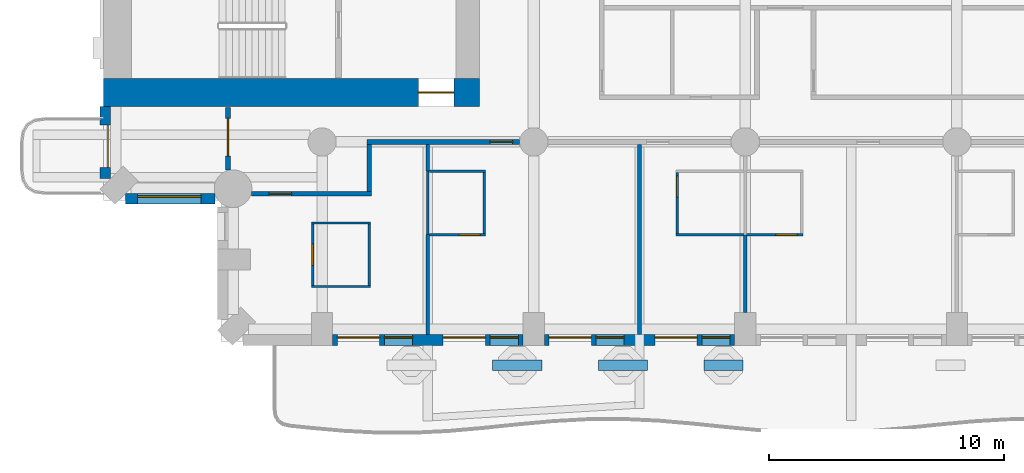
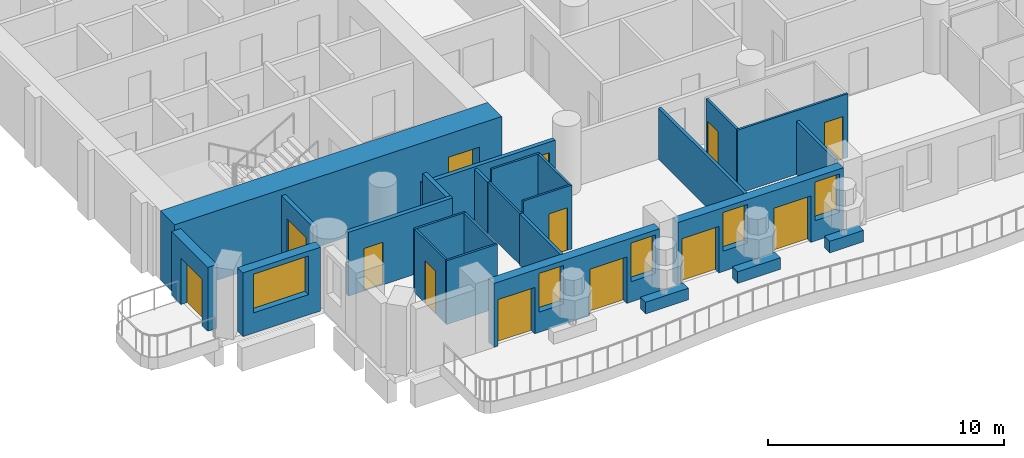
# One storey, part 3 of 20: 26 walls, 13 doors, 5 windows, 18 openings.
"""IFC4 building model written with IfcOpenShell, lengths in metres."""

from ifc_helpers import new_model, si_unit, direction, frame, frame_2d, origin, place, context, subcontext, project, spatial, rectangle, extrude, material, layer, layer_set, type_object, element, fill, save


model = new_model("IFC4")

# Units and contexts
model_context = context("Model", 3, precision=1e-05, world=origin(), true_north=direction((0.0, 1.0)))
body_context = subcontext(model_context, "Body", "Model", "MODEL_VIEW")
ifc_project = project(units=[si_unit("LENGTHUNIT", "METRE"), si_unit("AREAUNIT", "SQUARE_METRE"), si_unit("VOLUMEUNIT", "CUBIC_METRE"), si_unit("PLANEANGLEUNIT", "RADIAN"), si_unit("MASSUNIT", "GRAM", prefix="KILO")], contexts=[model_context])

# Site, building, storey
site_placement = place(None, origin())
site = spatial("IfcSite", under=ifc_project, at=site_placement, CompositionType="ELEMENT")
building_placement = place(site_placement, origin())
building = spatial("IfcBuilding", under=site, at=building_placement, Name="Cypress Arch Tower", CompositionType="ELEMENT")
storey_placement = place(building_placement, frame((0.0, 0.0, 91.5)))
storey = spatial("IfcBuildingStorey", under=building, at=storey_placement, Name="L17", CompositionType="ELEMENT", Elevation=91.5)

# Walls
ifc_material_1 = material(Name="Concrete C40/50, waterproofed", Category="concrete")
ifc_layer_1 = layer(ifc_material_1, 0.449951171875)
ifc_layer_set_1 = layer_set([ifc_layer_1], Name="Balcony planter wall PW450")
wall_type_1 = type_object("IfcWallType", Name="Balcony planter wall PW450", PredefinedType="SOLIDWALL", material=ifc_layer_set_1)
for number, where, z_axis, x_axis, name in (
    (1, (-13.449951171875, -27.0, 0.0), (0.0, 0.0, 1.0), (1.0, 0.0, 0.0), "Balcony planter wall L17-A03.2"),
    (2, (-8.949951171875, -27.0, 0.0), (0.0, 0.0, 1.0), (1.0, 0.0, 0.0), "Balcony planter wall L17-A03.3"),
):
    element("IfcWall", number, at=place(storey_placement, frame(where, z_axis=z_axis, x_axis=x_axis)), inside=storey, type_object=wall_type_1, Name=name, PredefinedType="SOLIDWALL", context=body_context, shape_type="SweptSolid", body=[
        extrude(rectangle(XDim=2.099853515625, YDim=0.449951171875, at=frame_2d((1.0498046875, 0.0))), origin(), (0.0, 0.0, 1.0), 0.60009765625),
    ])
wall_1_placement = place(storey_placement, frame((-4.449951171875, -27.0, 0.0), z_axis=(0.0, 0.0, 1.0), x_axis=(1.0, 0.0, 0.0)))
element("IfcWall", 3, at=wall_1_placement, inside=storey, type_object=wall_type_1, Name="Balcony planter wall L17-A03.4", PredefinedType="SOLIDWALL", context=body_context, shape_type="SweptSolid", body=[
    extrude(rectangle(XDim=1.64990234375, YDim=0.449951171875, at=frame_2d((0.824951171875, 0.0))), origin(), (0.0, 0.0, 1.0), 0.60009765625),
])

# Wall, opening, door
ifc_material_2 = material(Name="Brick (red buff blend)", Category="masonry")
ifc_layer_2 = layer(ifc_material_2, 0.449951171875)
ifc_layer_set_2 = layer_set([ifc_layer_2], Name="Brick pier and spandrel wall BW450")
wall_type_2 = type_object("IfcWallType", Name="Brick pier and spandrel wall BW450", PredefinedType="SOLIDWALL", material=ifc_layer_set_2)
wall_2_placement = place(storey_placement, frame((-29.925048828125, -16.0, 0.0), z_axis=(0.0, 0.0, 1.0), x_axis=(0.0, -1.0, 0.0)))
wall_2 = element("IfcWall", 4, at=wall_2_placement, inside=storey, type_object=wall_type_2, Name="Brick wall L17 A00.0.1", PredefinedType="SOLIDWALL", context=body_context, shape_type="SweptSolid", body=[
    extrude(rectangle(XDim=3.063720703125, YDim=0.449951171875, at=frame_2d((1.53173828125, 0.0))), origin(), (0.0, 0.0, 1.0), 3.300048828125),
])
opening_1_placement = place(wall_2_placement, frame((0.78173828125, 0.0, 0.0)))
opening_1 = element("IfcOpeningElement", 5, at=opening_1_placement, cuts=wall_2, Name="Opening D-L17-A00.0.1.9", PredefinedType="OPENING", context=body_context, shape_type="SweptSolid", body=[
    extrude(rectangle(XDim=1.800048828125, YDim=2.39990234375, at=frame_2d((0.89990234375, 1.199951171875))), frame((0.0, 0.23486328125, 0.0), z_axis=(0.0, -1.0, 0.0), x_axis=(1.0, 0.0, 0.0)), (0.0, 0.0, 1.0), 0.469970703125),
])
ifc_material_3 = material(Name="Anodised aluminium, bronze finish, laminated low-emissivity double glazing, large-missile impact rated", Category="aluminium")
door_type_1 = type_object("IfcDoorType", Name="Balcony sliding door 1800x2400", OperationType="SLIDING_TO_LEFT", PredefinedType="DOOR", material=ifc_material_3)
door_1_placement = place(opening_1_placement, origin())
door_1 = element("IfcDoor", 6, at=door_1_placement, inside=storey, type_object=door_type_1, Name="Balcony door L17 A00.0.1.9", OperationType="SLIDING_TO_LEFT", OverallHeight=2.39990234375, OverallWidth=1.800048828125, PredefinedType="DOOR", context=body_context, shape_type="SweptSolid", body=[
    extrude(rectangle(XDim=1.800048828125, YDim=2.39990234375, at=frame_2d((0.89990234375, 1.199951171875))), frame((0.0, 0.1298828125, 0.0), z_axis=(0.0, -1.0, 0.0), x_axis=(1.0, 0.0, 0.0)), (0.0, 0.0, 1.0), 0.050048828125),
])
fill(opening_1, door_1)

# Wall, opening, window
wall_3_placement = place(storey_placement, frame((-29.063720703125, -19.925048828125, 0.0), z_axis=(0.0, 0.0, 1.0), x_axis=(1.0, 0.0, 0.0)))
wall_3 = element("IfcWall", 7, at=wall_3_placement, inside=storey, type_object=wall_type_2, Name="Brick wall L17 A01.0", PredefinedType="SOLIDWALL", context=body_context, shape_type="SweptSolid", body=[
    extrude(rectangle(XDim=3.80517578125, YDim=0.449951171875, at=frame_2d((1.902587890625, 0.0))), origin(), (0.0, 0.0, 1.0), 3.300048828125),
])
opening_2_placement = place(wall_3_placement, frame((0.513671875, 0.0, 1.050048828125)))
opening_2 = element("IfcOpeningElement", 8, at=opening_2_placement, cuts=wall_3, Name="Opening W270H", PredefinedType="OPENING", context=body_context, shape_type="SweptSolid", body=[
    extrude(rectangle(XDim=2.699951171875, YDim=2.0, at=frame_2d((1.35009765625, 1.0))), frame((0.0, 0.23486328125, 0.0), z_axis=(0.0, -1.0, 0.0), x_axis=(1.0, 0.0, 0.0)), (0.0, 0.0, 1.0), 0.469970703125),
])
ifc_material_4 = material(Name="Anodised aluminium, bronze finish, clear low-emissivity double glazing", Category="aluminium")
window_type_1 = type_object("IfcWindowType", Name="Window Hotel 2700x2000", PartitioningType="SINGLE_PANEL", PredefinedType="WINDOW", material=ifc_material_4)
window_1_placement = place(opening_2_placement, origin())
window_1 = element("IfcWindow", 9, at=window_1_placement, inside=storey, type_object=window_type_1, Name="Window L17 A01.0.1", OverallHeight=2.0, OverallWidth=2.699951171875, PartitioningType="SINGLE_PANEL", PredefinedType="WINDOW", context=body_context, shape_type="SweptSolid", body=[
    extrude(rectangle(XDim=2.699951171875, YDim=2.0, at=frame_2d((1.35009765625, 1.0))), frame((0.0, 0.135009765625, 0.0), z_axis=(0.0, -1.0, 0.0), x_axis=(1.0, 0.0, 0.0)), (0.0, 0.0, 1.0), 0.06005859375),
])
fill(opening_2, window_1)

# Wall, openings, doors, windows
wall_4_placement = place(storey_placement, frame((-20.25, -25.925048828125, 0.0), z_axis=(0.0, 0.0, 1.0), x_axis=(1.0, 0.0, 0.0)))
wall_4 = element("IfcWall", 10, at=wall_4_placement, inside=storey, type_object=wall_type_2, Name="Brick wall L17 A03.1", PredefinedType="SOLIDWALL", context=body_context, shape_type="SweptSolid", body=[
    extrude(rectangle(XDim=8.10009765625, YDim=0.449951171875, at=frame_2d((4.050048828125, 0.0))), origin(), (0.0, 0.0, 1.0), 3.300048828125),
])
opening_3_placement = place(wall_4_placement, frame((0.199951171875, 0.0, 0.0)))
opening_3 = element("IfcOpeningElement", 11, at=opening_3_placement, cuts=wall_4, Name="Opening D-L17-A03.1.1", PredefinedType="OPENING", context=body_context, shape_type="SweptSolid", body=[
    extrude(rectangle(XDim=1.800048828125, YDim=2.39990234375, at=frame_2d((0.89990234375, 1.199951171875))), frame((0.0, 0.23486328125, 0.0), z_axis=(0.0, -1.0, 0.0), x_axis=(1.0, 0.0, 0.0)), (0.0, 0.0, 1.0), 0.469970703125),
])
opening_4_placement = place(wall_4_placement, frame((2.199951171875, 0.0, 1.050048828125)))
opening_4 = element("IfcOpeningElement", 12, at=opening_4_placement, cuts=wall_4, Name="Opening W120HD", PredefinedType="OPENING", context=body_context, shape_type="SweptSolid", body=[
    extrude(rectangle(XDim=1.199951171875, YDim=2.0, at=frame_2d((0.60009765625, 1.0))), frame((0.0, 0.23486328125, 0.0), z_axis=(0.0, -1.0, 0.0), x_axis=(1.0, 0.0, 0.0)), (0.0, 0.0, 1.0), 0.469970703125),
])
opening_5_placement = place(wall_4_placement, frame((4.699951171875, 0.0, 0.0)))
opening_5 = element("IfcOpeningElement", 13, at=opening_5_placement, cuts=wall_4, Name="Opening D-L17-A03.1.2", PredefinedType="OPENING", context=body_context, shape_type="SweptSolid", body=[
    extrude(rectangle(XDim=1.800048828125, YDim=2.39990234375, at=frame_2d((0.89990234375, 1.199951171875))), frame((0.0, 0.23486328125, 0.0), z_axis=(0.0, -1.0, 0.0), x_axis=(1.0, 0.0, 0.0)), (0.0, 0.0, 1.0), 0.469970703125),
])
opening_6_placement = place(wall_4_placement, frame((6.699951171875, 0.0, 1.050048828125)))
opening_6 = element("IfcOpeningElement", 14, at=opening_6_placement, cuts=wall_4, Name="Opening W120HD", PredefinedType="OPENING", context=body_context, shape_type="SweptSolid", body=[
    extrude(rectangle(XDim=1.199951171875, YDim=2.0, at=frame_2d((0.60009765625, 1.0))), frame((0.0, 0.23486328125, 0.0), z_axis=(0.0, -1.0, 0.0), x_axis=(1.0, 0.0, 0.0)), (0.0, 0.0, 1.0), 0.469970703125),
])
door_2_placement = place(opening_3_placement, origin())
door_2 = element("IfcDoor", 15, at=door_2_placement, inside=storey, type_object=door_type_1, Name="Balcony door L17 A03.1.1", OperationType="SLIDING_TO_LEFT", OverallHeight=2.39990234375, OverallWidth=1.800048828125, PredefinedType="DOOR", context=body_context, shape_type="SweptSolid", body=[
    extrude(rectangle(XDim=1.800048828125, YDim=2.39990234375, at=frame_2d((0.89990234375, 1.199951171875))), frame((0.0, 0.1298828125, 0.0), z_axis=(0.0, -1.0, 0.0), x_axis=(1.0, 0.0, 0.0)), (0.0, 0.0, 1.0), 0.050048828125),
])
fill(opening_3, door_2)
door_3_placement = place(opening_5_placement, origin())
door_3 = element("IfcDoor", 16, at=door_3_placement, inside=storey, type_object=door_type_1, Name="Balcony door L17 A03.1.2", OperationType="SLIDING_TO_LEFT", OverallHeight=2.39990234375, OverallWidth=1.800048828125, PredefinedType="DOOR", context=body_context, shape_type="SweptSolid", body=[
    extrude(rectangle(XDim=1.800048828125, YDim=2.39990234375, at=frame_2d((0.89990234375, 1.199951171875))), frame((0.0, 0.1298828125, 0.0), z_axis=(0.0, -1.0, 0.0), x_axis=(1.0, 0.0, 0.0)), (0.0, 0.0, 1.0), 0.050048828125),
])
fill(opening_5, door_3)
ifc_material_5 = material(Name="Anodised aluminium, bronze finish, laminated low-emissivity double glazing, large-missile impact rated", Category="aluminium")
window_type_2 = type_object("IfcWindowType", Name="Window Hotel 1200x2000 debris-rated", PartitioningType="SINGLE_PANEL", PredefinedType="WINDOW", material=ifc_material_5)
window_2_placement = place(opening_4_placement, origin())
window_2 = element("IfcWindow", 17, at=window_2_placement, inside=storey, type_object=window_type_2, Name="Window L17 A03.1.1", OverallHeight=2.0, OverallWidth=1.199951171875, PartitioningType="SINGLE_PANEL", PredefinedType="WINDOW", context=body_context, shape_type="SweptSolid", body=[
    extrude(rectangle(XDim=1.199951171875, YDim=2.0, at=frame_2d((0.60009765625, 1.0))), frame((0.0, 0.135009765625, 0.0), z_axis=(0.0, -1.0, 0.0), x_axis=(1.0, 0.0, 0.0)), (0.0, 0.0, 1.0), 0.06005859375),
])
fill(opening_4, window_2)
window_3_placement = place(opening_6_placement, origin())
window_3 = element("IfcWindow", 18, at=window_3_placement, inside=storey, type_object=window_type_2, Name="Window L17 A03.1.2", OverallHeight=2.0, OverallWidth=1.199951171875, PartitioningType="SINGLE_PANEL", PredefinedType="WINDOW", context=body_context, shape_type="SweptSolid", body=[
    extrude(rectangle(XDim=1.199951171875, YDim=2.0, at=frame_2d((0.60009765625, 1.0))), frame((0.0, 0.135009765625, 0.0), z_axis=(0.0, -1.0, 0.0), x_axis=(1.0, 0.0, 0.0)), (0.0, 0.0, 1.0), 0.06005859375),
])
fill(opening_6, window_3)

wall_5_placement = place(storey_placement, frame((-11.25, -25.925048828125, 0.0), z_axis=(0.0, 0.0, 1.0), x_axis=(1.0, 0.0, 0.0)))
wall_5 = element("IfcWall", 19, at=wall_5_placement, inside=storey, type_object=wall_type_2, Name="Brick wall L17 A03.2", PredefinedType="SOLIDWALL", context=body_context, shape_type="SweptSolid", body=[
    extrude(rectangle(XDim=8.10009765625, YDim=0.449951171875, at=frame_2d((4.050048828125, 0.0))), origin(), (0.0, 0.0, 1.0), 3.300048828125),
])
opening_7_placement = place(wall_5_placement, frame((0.199951171875, 0.0, 0.0)))
opening_7 = element("IfcOpeningElement", 20, at=opening_7_placement, cuts=wall_5, Name="Opening D-L17-A03.2.1", PredefinedType="OPENING", context=body_context, shape_type="SweptSolid", body=[
    extrude(rectangle(XDim=1.800048828125, YDim=2.39990234375, at=frame_2d((0.89990234375, 1.199951171875))), frame((0.0, 0.23486328125, 0.0), z_axis=(0.0, -1.0, 0.0), x_axis=(1.0, 0.0, 0.0)), (0.0, 0.0, 1.0), 0.469970703125),
])
opening_8_placement = place(wall_5_placement, frame((2.199951171875, 0.0, 1.050048828125)))
opening_8 = element("IfcOpeningElement", 21, at=opening_8_placement, cuts=wall_5, Name="Opening W120HD", PredefinedType="OPENING", context=body_context, shape_type="SweptSolid", body=[
    extrude(rectangle(XDim=1.199951171875, YDim=2.0, at=frame_2d((0.60009765625, 1.0))), frame((0.0, 0.23486328125, 0.0), z_axis=(0.0, -1.0, 0.0), x_axis=(1.0, 0.0, 0.0)), (0.0, 0.0, 1.0), 0.469970703125),
])
opening_9_placement = place(wall_5_placement, frame((4.699951171875, 0.0, 0.0)))
opening_9 = element("IfcOpeningElement", 22, at=opening_9_placement, cuts=wall_5, Name="Opening D-L17-A03.2.2", PredefinedType="OPENING", context=body_context, shape_type="SweptSolid", body=[
    extrude(rectangle(XDim=1.800048828125, YDim=2.39990234375, at=frame_2d((0.89990234375, 1.199951171875))), frame((0.0, 0.23486328125, 0.0), z_axis=(0.0, -1.0, 0.0), x_axis=(1.0, 0.0, 0.0)), (0.0, 0.0, 1.0), 0.469970703125),
])
opening_10_placement = place(wall_5_placement, frame((6.699951171875, 0.0, 1.050048828125)))
opening_10 = element("IfcOpeningElement", 23, at=opening_10_placement, cuts=wall_5, Name="Opening W120HD", PredefinedType="OPENING", context=body_context, shape_type="SweptSolid", body=[
    extrude(rectangle(XDim=1.199951171875, YDim=2.0, at=frame_2d((0.60009765625, 1.0))), frame((0.0, 0.23486328125, 0.0), z_axis=(0.0, -1.0, 0.0), x_axis=(1.0, 0.0, 0.0)), (0.0, 0.0, 1.0), 0.469970703125),
])
door_4_placement = place(opening_7_placement, origin())
door_4 = element("IfcDoor", 24, at=door_4_placement, inside=storey, type_object=door_type_1, Name="Balcony door L17 A03.2.1", OperationType="SLIDING_TO_LEFT", OverallHeight=2.39990234375, OverallWidth=1.800048828125, PredefinedType="DOOR", context=body_context, shape_type="SweptSolid", body=[
    extrude(rectangle(XDim=1.800048828125, YDim=2.39990234375, at=frame_2d((0.89990234375, 1.199951171875))), frame((0.0, 0.1298828125, 0.0), z_axis=(0.0, -1.0, 0.0), x_axis=(1.0, 0.0, 0.0)), (0.0, 0.0, 1.0), 0.050048828125),
])
fill(opening_7, door_4)
door_5_placement = place(opening_9_placement, origin())
door_5 = element("IfcDoor", 25, at=door_5_placement, inside=storey, type_object=door_type_1, Name="Balcony door L17 A03.2.2", OperationType="SLIDING_TO_LEFT", OverallHeight=2.39990234375, OverallWidth=1.800048828125, PredefinedType="DOOR", context=body_context, shape_type="SweptSolid", body=[
    extrude(rectangle(XDim=1.800048828125, YDim=2.39990234375, at=frame_2d((0.89990234375, 1.199951171875))), frame((0.0, 0.1298828125, 0.0), z_axis=(0.0, -1.0, 0.0), x_axis=(1.0, 0.0, 0.0)), (0.0, 0.0, 1.0), 0.050048828125),
])
fill(opening_9, door_5)
window_4_placement = place(opening_8_placement, origin())
window_4 = element("IfcWindow", 26, at=window_4_placement, inside=storey, type_object=window_type_2, Name="Window L17 A03.2.1", OverallHeight=2.0, OverallWidth=1.199951171875, PartitioningType="SINGLE_PANEL", PredefinedType="WINDOW", context=body_context, shape_type="SweptSolid", body=[
    extrude(rectangle(XDim=1.199951171875, YDim=2.0, at=frame_2d((0.60009765625, 1.0))), frame((0.0, 0.135009765625, 0.0), z_axis=(0.0, -1.0, 0.0), x_axis=(1.0, 0.0, 0.0)), (0.0, 0.0, 1.0), 0.06005859375),
])
fill(opening_8, window_4)
window_5_placement = place(opening_10_placement, origin())
window_5 = element("IfcWindow", 27, at=window_5_placement, inside=storey, type_object=window_type_2, Name="Window L17 A03.2.2", OverallHeight=2.0, OverallWidth=1.199951171875, PartitioningType="SINGLE_PANEL", PredefinedType="WINDOW", context=body_context, shape_type="SweptSolid", body=[
    extrude(rectangle(XDim=1.199951171875, YDim=2.0, at=frame_2d((0.60009765625, 1.0))), frame((0.0, 0.135009765625, 0.0), z_axis=(0.0, -1.0, 0.0), x_axis=(1.0, 0.0, 0.0)), (0.0, 0.0, 1.0), 0.06005859375),
])
fill(opening_10, window_5)

# Wall, opening, door
ifc_material_6 = material(Name="Concrete C80/95", Category="concrete")
ifc_layer_3 = layer(ifc_material_6, 1.199951171875)
ifc_layer_set_3 = layer_set([ifc_layer_3], Name="Core wall CW1200 C80/95")
wall_type_3 = type_object("IfcWallType", Name="Core wall CW1200 C80/95", PredefinedType="SHEAR", material=ifc_layer_set_3)
wall_6_placement = place(storey_placement, frame((-30.0, -15.39990234375, 0.0), z_axis=(0.0, 0.0, 1.0), x_axis=(1.0, 0.0, 0.0)))
wall_6 = element("IfcWall", 28, at=wall_6_placement, inside=storey, type_object=wall_type_3, Name="Core wall", PredefinedType="SHEAR", context=body_context, shape_type="SweptSolid", body=[
    extrude(rectangle(XDim=16.0, YDim=1.199951171875, at=frame_2d((8.0, 0.0))), origin(), (0.0, 0.0, 1.0), 3.60009765625),
])
opening_11_placement = place(wall_6_placement, frame((13.39990234375, 0.0, 0.0)))
opening_11 = element("IfcOpeningElement", 29, at=opening_11_placement, cuts=wall_6, Name="Opening D07", PredefinedType="OPENING", context=body_context, shape_type="SweptSolid", body=[
    extrude(rectangle(XDim=1.5, YDim=2.39990234375, at=frame_2d((0.75, 1.199951171875))), frame((0.0, 0.60986328125, 0.0), z_axis=(0.0, -1.0, 0.0), x_axis=(1.0, 0.0, 0.0)), (0.0, 0.0, 1.0), 1.219970703125),
])
ifc_material_7 = material(Name="Steel framed glazed door, fire resisting", Category="steel")
door_type_2 = type_object("IfcDoorType", Name="Lobby door D07 1500x2400", OperationType="DOUBLE_DOOR_SINGLE_SWING", PredefinedType="DOOR", material=ifc_material_7)
door_6_placement = place(opening_11_placement, origin())
door_6 = element("IfcDoor", 30, at=door_6_placement, inside=storey, type_object=door_type_2, Name="Lobby door", OperationType="DOUBLE_DOOR_SINGLE_SWING", OverallHeight=2.39990234375, OverallWidth=1.5, PredefinedType="DOOR", context=body_context, shape_type="SweptSolid", body=[
    extrude(rectangle(XDim=1.5, YDim=2.39990234375, at=frame_2d((0.75, 1.199951171875))), frame((0.0, 0.02490234375, 0.0), z_axis=(0.0, -1.0, 0.0), x_axis=(1.0, 0.0, 0.0)), (0.0, 0.0, 1.0), 0.050048828125),
])
fill(opening_11, door_6)

ifc_material_8 = material(Name="Concrete blockwork, plastered, rated", Category="masonry")
ifc_layer_4 = layer(ifc_material_8, 0.199951171875)
ifc_layer_set_4 = layer_set([ifc_layer_4], Name="Corridor wall FW200")
wall_type_4 = type_object("IfcWallType", Name="Corridor wall FW200", PredefinedType="PARTITIONING", material=ifc_layer_set_4)
wall_7_placement = place(storey_placement, frame((-24.699951171875, -18.7001953125, 0.0), z_axis=(0.0, 0.0, 1.0), x_axis=(0.0, 1.0, 0.0)))
wall_7 = element("IfcWall", 31, at=wall_7_placement, inside=storey, type_object=wall_type_4, Name="Corridor wall", PredefinedType="PARTITIONING", context=body_context, shape_type="SweptSolid", body=[
    extrude(rectangle(XDim=2.670166015625, YDim=0.199951171875, at=frame_2d((1.3349609375, 0.0))), origin(), (0.0, 0.0, 1.0), 3.300048828125),
])
opening_12_placement = place(wall_7_placement, frame((0.60009765625, 0.0, 0.0)))
opening_12 = element("IfcOpeningElement", 32, at=opening_12_placement, cuts=wall_7, Name="Opening D10", PredefinedType="OPENING", context=body_context, shape_type="SweptSolid", body=[
    extrude(rectangle(XDim=1.60009765625, YDim=2.39990234375, at=frame_2d((0.800048828125, 1.199951171875))), frame((0.0, 0.10986328125, 0.0), z_axis=(0.0, -1.0, 0.0), x_axis=(1.0, 0.0, 0.0)), (0.0, 0.0, 1.0), 0.219970703125),
])
ifc_material_9 = material(Name="Black aluminium glazed door", Category="aluminium")
door_type_3 = type_object("IfcDoorType", Name="Amenity door D10 1600x2400", OperationType="DOUBLE_DOOR_SINGLE_SWING", PredefinedType="DOOR", material=ifc_material_9)
door_7_placement = place(opening_12_placement, origin())
door_7 = element("IfcDoor", 33, at=door_7_placement, inside=storey, type_object=door_type_3, Name="Amenity door", OperationType="DOUBLE_DOOR_SINGLE_SWING", OverallHeight=2.39990234375, OverallWidth=1.60009765625, PredefinedType="DOOR", context=body_context, shape_type="SweptSolid", body=[
    extrude(rectangle(XDim=1.60009765625, YDim=2.39990234375, at=frame_2d((0.800048828125, 1.199951171875))), frame((0.0, 0.02490234375, 0.0), z_axis=(0.0, -1.0, 0.0), x_axis=(1.0, 0.0, 0.0)), (0.0, 0.0, 1.0), 0.050048828125),
])
fill(opening_12, door_7)

wall_8_placement = place(storey_placement, frame((-23.7001953125, -19.699951171875, 0.0), z_axis=(0.0, 0.0, 1.0), x_axis=(1.0, 0.0, 0.0)))
wall_8 = element("IfcWall", 34, at=wall_8_placement, inside=storey, type_object=wall_type_4, Name="Corridor wall", PredefinedType="PARTITIONING", context=body_context, shape_type="SweptSolid", body=[
    extrude(rectangle(XDim=5.10009765625, YDim=0.199951171875, at=frame_2d((2.550048828125, 0.0))), origin(), (0.0, 0.0, 1.0), 3.300048828125),
])
opening_13_placement = place(wall_8_placement, frame((0.75, 0.0, 0.0)))
opening_13 = element("IfcOpeningElement", 35, at=opening_13_placement, cuts=wall_8, Name="Opening D02", PredefinedType="OPENING", context=body_context, shape_type="SweptSolid", body=[
    extrude(rectangle(XDim=0.949951171875, YDim=2.199951171875, at=frame_2d((0.47509765625, 1.10009765625))), frame((0.0, 0.10986328125, 0.0), z_axis=(0.0, -1.0, 0.0), x_axis=(1.0, 0.0, 0.0)), (0.0, 0.0, 1.0), 0.219970703125),
])
ifc_material_10 = material(Name="Timber flush door, fire resisting", Category="wood")
door_type_4 = type_object("IfcDoorType", Name="Room door D02 950x2200", OperationType="SINGLE_SWING_LEFT", PredefinedType="DOOR", material=ifc_material_10)
door_8_placement = place(opening_13_placement, origin())
door_8 = element("IfcDoor", 36, at=door_8_placement, inside=storey, type_object=door_type_4, Name="Room door", OperationType="SINGLE_SWING_RIGHT", OverallHeight=2.199951171875, OverallWidth=0.949951171875, PredefinedType="DOOR", context=body_context, shape_type="SweptSolid", body=[
    extrude(rectangle(XDim=0.949951171875, YDim=2.199951171875, at=frame_2d((0.47509765625, 1.10009765625))), frame((0.0, 0.02490234375, 0.0), z_axis=(0.0, -1.0, 0.0), x_axis=(1.0, 0.0, 0.0)), (0.0, 0.0, 1.0), 0.050048828125),
])
fill(opening_13, door_8)

# Wall
wall_9_placement = place(storey_placement, frame((-18.699951171875, -19.60009765625, 0.0), z_axis=(0.0, 0.0, 1.0), x_axis=(0.0, 1.0, 0.0)))
element("IfcWall", 37, at=wall_9_placement, inside=storey, type_object=wall_type_4, Name="Corridor wall", PredefinedType="PARTITIONING", context=body_context, shape_type="SweptSolid", body=[
    extrude(rectangle(XDim=2.0, YDim=0.199951171875, at=frame_2d((1.0, 0.0))), origin(), (0.0, 0.0, 1.0), 3.300048828125),
])

# Wall, opening, door
wall_10_placement = place(storey_placement, frame((-18.800048828125, -17.5, 0.0), z_axis=(0.0, 0.0, 1.0), x_axis=(1.0, 0.0, 0.0)))
wall_10 = element("IfcWall", 38, at=wall_10_placement, inside=storey, type_object=wall_type_4, Name="Corridor wall", PredefinedType="PARTITIONING", context=body_context, shape_type="SweptSolid", body=[
    extrude(rectangle(XDim=6.5, YDim=0.199951171875, at=frame_2d((3.25, 0.0))), origin(), (0.0, 0.0, 1.0), 2.75),
])
opening_14_placement = place(wall_10_placement, frame((5.25, 0.0, 0.0)))
opening_14 = element("IfcOpeningElement", 39, at=opening_14_placement, cuts=wall_10, Name="Opening D02", PredefinedType="OPENING", context=body_context, shape_type="SweptSolid", body=[
    extrude(rectangle(XDim=0.949951171875, YDim=2.199951171875, at=frame_2d((0.47509765625, 1.10009765625))), frame((0.0, 0.10986328125, 0.0), z_axis=(0.0, -1.0, 0.0), x_axis=(1.0, 0.0, 0.0)), (0.0, 0.0, 1.0), 0.219970703125),
])
door_9_placement = place(opening_14_placement, origin())
door_9 = element("IfcDoor", 40, at=door_9_placement, inside=storey, type_object=door_type_4, Name="Room door", OperationType="SINGLE_SWING_LEFT", OverallHeight=2.199951171875, OverallWidth=0.949951171875, PredefinedType="DOOR", context=body_context, shape_type="SweptSolid", body=[
    extrude(rectangle(XDim=0.949951171875, YDim=2.199951171875, at=frame_2d((0.47509765625, 1.10009765625))), frame((0.0, 0.02490234375, 0.0), z_axis=(0.0, -1.0, 0.0), x_axis=(1.0, 0.0, 0.0)), (0.0, 0.0, 1.0), 0.050048828125),
])
fill(opening_14, door_9)

# Walls
ifc_material_11 = material(Name="Blockwork, plastered both sides", Category="masonry")
ifc_layer_5 = layer(ifc_material_11, 0.14990234375)
ifc_layer_set_5 = layer_set([ifc_layer_5], Name="Partition PW150")
wall_type_5 = type_object("IfcWallType", Name="Partition PW150", PredefinedType="PARTITIONING", material=ifc_layer_set_5)
wall_11_placement = place(storey_placement, frame((-16.199951171875, -25.699951171875, 0.0), z_axis=(0.0, 0.0, 1.0), x_axis=(0.0, 1.0, 0.0)))
element("IfcWall", 41, at=wall_11_placement, inside=storey, type_object=wall_type_5, Name="Partition", PredefinedType="PARTITIONING", context=body_context, shape_type="SweptSolid", body=[
    extrude(rectangle(XDim=4.27001953125, YDim=0.14990234375, at=frame_2d((2.135009765625, 0.0))), origin(), (0.0, 0.0, 1.0), 2.64990234375),
])
wall_12_placement = place(storey_placement, frame((-16.199951171875, -18.72998046875, 0.0), z_axis=(0.0, 0.0, 1.0), x_axis=(0.0, 1.0, 0.0)))
element("IfcWall", 42, at=wall_12_placement, inside=storey, type_object=wall_type_5, Name="Partition", PredefinedType="PARTITIONING", context=body_context, shape_type="SweptSolid", body=[
    extrude(rectangle(XDim=1.1298828125, YDim=0.14990234375, at=frame_2d((0.56494140625, 0.0))), origin(), (0.0, 0.0, 1.0), 2.64990234375),
])
wall_13_placement = place(storey_placement, frame((-7.199951171875, -25.699951171875, 0.0), z_axis=(0.0, 0.0, 1.0), x_axis=(0.0, 1.0, 0.0)))
element("IfcWall", 43, at=wall_13_placement, inside=storey, type_object=wall_type_5, Name="Partition", PredefinedType="PARTITIONING", context=body_context, shape_type="SweptSolid", body=[
    extrude(rectangle(XDim=8.099853515625, YDim=0.14990234375, at=frame_2d((4.0498046875, 0.0))), origin(), (0.0, 0.0, 1.0), 2.64990234375),
])
wall_14_placement = place(storey_placement, frame((-2.699951171875, -24.75, 0.0), z_axis=(0.0, 0.0, 1.0), x_axis=(0.0, 1.0, 0.0)))
element("IfcWall", 44, at=wall_14_placement, inside=storey, type_object=wall_type_5, Name="Partition", PredefinedType="PARTITIONING", context=body_context, shape_type="SweptSolid", body=[
    extrude(rectangle(XDim=3.300048828125, YDim=0.14990234375, at=frame_2d((1.64990234375, 0.0))), origin(), (0.0, 0.0, 1.0), 2.75),
])

# Wall, opening, door
ifc_material_12 = material(Name="Moisture resistant board on steel studs, tiled", Category="steel")
ifc_layer_6 = layer(ifc_material_12, 0.10009765625)
ifc_layer_set_6 = layer_set([ifc_layer_6], Name="Wet wall PW100")
wall_type_6 = type_object("IfcWallType", Name="Wet wall PW100", PredefinedType="PARTITIONING", material=ifc_layer_set_6)
wall_15_placement = place(storey_placement, frame((-21.10009765625, -23.60009765625, 0.0), z_axis=(0.0, 0.0, 1.0), x_axis=(0.0, 1.0, 0.0)))
wall_15 = element("IfcWall", 45, at=wall_15_placement, inside=storey, type_object=wall_type_6, Name="Wet wall", PredefinedType="PARTITIONING", context=body_context, shape_type="SweptSolid", body=[
    extrude(rectangle(XDim=2.60009765625, YDim=0.10009765625, at=frame_2d((1.300048828125, 0.0))), origin(), (0.0, 0.0, 1.0), 3.300048828125),
])
opening_15_placement = place(wall_15_placement, frame((0.85009765625, 0.0, 0.0)))
opening_15 = element("IfcOpeningElement", 46, at=opening_15_placement, cuts=wall_15, Name="Opening D03", PredefinedType="OPENING", context=body_context, shape_type="SweptSolid", body=[
    extrude(rectangle(XDim=0.89990234375, YDim=2.199951171875, at=frame_2d((0.449951171875, 1.10009765625))), frame((0.0, 0.06005859375, 0.0), z_axis=(0.0, -1.0, 0.0), x_axis=(1.0, 0.0, 0.0)), (0.0, 0.0, 1.0), 0.1201171875),
])
ifc_material_13 = material(Name="Timber flush door, moisture resistant", Category="wood")
door_type_5 = type_object("IfcDoorType", Name="Bathroom door D03 900x2200", OperationType="SINGLE_SWING_LEFT", PredefinedType="DOOR", material=ifc_material_13)
door_10_placement = place(opening_15_placement, origin())
door_10 = element("IfcDoor", 47, at=door_10_placement, inside=storey, type_object=door_type_5, Name="Bathroom door", OperationType="SINGLE_SWING_LEFT", OverallHeight=2.199951171875, OverallWidth=0.89990234375, PredefinedType="DOOR", context=body_context, shape_type="SweptSolid", body=[
    extrude(rectangle(XDim=0.89990234375, YDim=2.199951171875, at=frame_2d((0.449951171875, 1.10009765625))), frame((0.0, 0.02490234375, 0.0), z_axis=(0.0, -1.0, 0.0), x_axis=(1.0, 0.0, 0.0)), (0.0, 0.0, 1.0), 0.050048828125),
])
fill(opening_15, door_10)

# Walls
for number, where, z_axis, x_axis, name in (
    (48, (-21.14990234375, -23.64990234375, 0.0), (0.0, 0.0, 1.0), (1.0, 0.0, 0.0), "Wet wall"),
    (49, (-21.14990234375, -20.949951171875, 0.0), (0.0, 0.0, 1.0), (1.0, 0.0, 0.0), "Wet wall"),
):
    element("IfcWall", number, at=place(storey_placement, frame(where, z_axis=z_axis, x_axis=x_axis)), inside=storey, type_object=wall_type_6, Name=name, PredefinedType="PARTITIONING", context=body_context, shape_type="SweptSolid", body=[
        extrude(rectangle(XDim=2.5, YDim=0.10009765625, at=frame_2d((1.25, 0.0))), origin(), (0.0, 0.0, 1.0), 3.300048828125),
    ])
wall_16_placement = place(storey_placement, frame((-18.699951171875, -23.60009765625, 0.0), z_axis=(0.0, 0.0, 1.0), x_axis=(0.0, 1.0, 0.0)))
element("IfcWall", 50, at=wall_16_placement, inside=storey, type_object=wall_type_6, Name="Wet wall", PredefinedType="PARTITIONING", context=body_context, shape_type="SweptSolid", body=[
    extrude(rectangle(XDim=2.60009765625, YDim=0.10009765625, at=frame_2d((1.300048828125, 0.0))), origin(), (0.0, 0.0, 1.0), 3.300048828125),
])
wall_17_placement = place(storey_placement, frame((-16.199951171875, -21.429931640625, 0.0), z_axis=(0.0, 0.0, 1.0), x_axis=(0.0, 1.0, 0.0)))
element("IfcWall", 51, at=wall_17_placement, inside=storey, type_object=wall_type_6, Name="Wet wall", PredefinedType="PARTITIONING", context=body_context, shape_type="SweptSolid", body=[
    extrude(rectangle(XDim=2.699951171875, YDim=0.10009765625, at=frame_2d((1.35009765625, 0.0))), origin(), (0.0, 0.0, 1.0), 2.64990234375),
])

# Wall, opening, door
wall_18_placement = place(storey_placement, frame((-16.125, -21.449951171875, 0.0), z_axis=(0.0, 0.0, 1.0), x_axis=(1.0, 0.0, 0.0)))
wall_18 = element("IfcWall", 52, at=wall_18_placement, inside=storey, type_object=wall_type_6, Name="Wet wall", PredefinedType="PARTITIONING", context=body_context, shape_type="SweptSolid", body=[
    extrude(rectangle(XDim=2.37109375, YDim=0.10009765625, at=frame_2d((1.185546875, 0.0))), origin(), (0.0, 0.0, 1.0), 3.300048828125),
])
opening_16_placement = place(wall_18_placement, frame((1.25, 0.0, 0.0)))
opening_16 = element("IfcOpeningElement", 53, at=opening_16_placement, cuts=wall_18, Name="Opening D03", PredefinedType="OPENING", context=body_context, shape_type="SweptSolid", body=[
    extrude(rectangle(XDim=0.89990234375, YDim=2.199951171875, at=frame_2d((0.449951171875, 1.10009765625))), frame((0.0, 0.06005859375, 0.0), z_axis=(0.0, -1.0, 0.0), x_axis=(1.0, 0.0, 0.0)), (0.0, 0.0, 1.0), 0.1201171875),
])
door_11_placement = place(opening_16_placement, origin())
door_11 = element("IfcDoor", 54, at=door_11_placement, inside=storey, type_object=door_type_5, Name="Bathroom door", OperationType="SINGLE_SWING_RIGHT", OverallHeight=2.199951171875, OverallWidth=0.89990234375, PredefinedType="DOOR", context=body_context, shape_type="SweptSolid", body=[
    extrude(rectangle(XDim=0.89990234375, YDim=2.199951171875, at=frame_2d((0.449951171875, 1.10009765625))), frame((0.0, 0.02490234375, 0.0), z_axis=(0.0, -1.0, 0.0), x_axis=(1.0, 0.0, 0.0)), (0.0, 0.0, 1.0), 0.050048828125),
])
fill(opening_16, door_11)

# Walls
wall_19_placement = place(storey_placement, frame((-16.125, -18.75, 0.0), z_axis=(0.0, 0.0, 1.0), x_axis=(1.0, 0.0, 0.0)))
element("IfcWall", 55, at=wall_19_placement, inside=storey, type_object=wall_type_6, Name="Wet wall", PredefinedType="PARTITIONING", context=body_context, shape_type="SweptSolid", body=[
    extrude(rectangle(XDim=2.37109375, YDim=0.10009765625, at=frame_2d((1.185546875, 0.0))), origin(), (0.0, 0.0, 1.0), 3.300048828125),
])
wall_20_placement = place(storey_placement, frame((-13.803955078125, -21.39990234375, 0.0), z_axis=(0.0, 0.0, 1.0), x_axis=(0.0, 1.0, 0.0)))
element("IfcWall", 56, at=wall_20_placement, inside=storey, type_object=wall_type_6, Name="Wet wall", PredefinedType="PARTITIONING", context=body_context, shape_type="SweptSolid", body=[
    extrude(rectangle(XDim=2.599853515625, YDim=0.10009765625, at=frame_2d((1.2998046875, 0.0))), origin(), (0.0, 0.0, 1.0), 3.300048828125),
])

# Wall, opening, door
wall_21_placement = place(storey_placement, frame((-5.595947265625, -21.39990234375, 0.0), z_axis=(0.0, 0.0, 1.0), x_axis=(0.0, 1.0, 0.0)))
wall_21 = element("IfcWall", 57, at=wall_21_placement, inside=storey, type_object=wall_type_6, Name="Wet wall", PredefinedType="PARTITIONING", context=body_context, shape_type="SweptSolid", body=[
    extrude(rectangle(XDim=2.599853515625, YDim=0.10009765625, at=frame_2d((1.2998046875, 0.0))), origin(), (0.0, 0.0, 1.0), 3.300048828125),
])
opening_17_placement = place(wall_21_placement, frame((1.550048828125, 0.0, 0.0)))
opening_17 = element("IfcOpeningElement", 58, at=opening_17_placement, cuts=wall_21, Name="Opening D03", PredefinedType="OPENING", context=body_context, shape_type="SweptSolid", body=[
    extrude(rectangle(XDim=0.89990234375, YDim=2.199951171875, at=frame_2d((0.449951171875, 1.10009765625))), frame((0.0, 0.06005859375, 0.0), z_axis=(0.0, -1.0, 0.0), x_axis=(1.0, 0.0, 0.0)), (0.0, 0.0, 1.0), 0.1201171875),
])
door_12_placement = place(opening_17_placement, origin())
door_12 = element("IfcDoor", 59, at=door_12_placement, inside=storey, type_object=door_type_5, Name="Bathroom door", OperationType="SINGLE_SWING_LEFT", OverallHeight=2.199951171875, OverallWidth=0.89990234375, PredefinedType="DOOR", context=body_context, shape_type="SweptSolid", body=[
    extrude(rectangle(XDim=0.89990234375, YDim=2.199951171875, at=frame_2d((0.449951171875, 1.10009765625))), frame((0.0, 0.02490234375, 0.0), z_axis=(0.0, -1.0, 0.0), x_axis=(1.0, 0.0, 0.0)), (0.0, 0.0, 1.0), 0.050048828125),
])
fill(opening_17, door_12)

wall_22_placement = place(storey_placement, frame((-5.64599609375, -21.449951171875, 0.0), z_axis=(0.0, 0.0, 1.0), x_axis=(1.0, 0.0, 0.0)))
wall_22 = element("IfcWall", 60, at=wall_22_placement, inside=storey, type_object=wall_type_6, Name="Wet wall", PredefinedType="PARTITIONING", context=body_context, shape_type="SweptSolid", body=[
    extrude(rectangle(XDim=5.39208984375, YDim=0.10009765625, at=frame_2d((2.696044921875, 0.0))), origin(), (0.0, 0.0, 1.0), 3.300048828125),
])
opening_18_placement = place(wall_22_placement, frame((4.25, 0.0, 0.0)))
opening_18 = element("IfcOpeningElement", 61, at=opening_18_placement, cuts=wall_22, Name="Opening D03", PredefinedType="OPENING", context=body_context, shape_type="SweptSolid", body=[
    extrude(rectangle(XDim=0.89990234375, YDim=2.199951171875, at=frame_2d((0.449951171875, 1.10009765625))), frame((0.0, 0.06005859375, 0.0), z_axis=(0.0, -1.0, 0.0), x_axis=(1.0, 0.0, 0.0)), (0.0, 0.0, 1.0), 0.1201171875),
])
door_13_placement = place(opening_18_placement, origin())
door_13 = element("IfcDoor", 62, at=door_13_placement, inside=storey, type_object=door_type_5, Name="Bathroom door", OperationType="SINGLE_SWING_RIGHT", OverallHeight=2.199951171875, OverallWidth=0.89990234375, PredefinedType="DOOR", context=body_context, shape_type="SweptSolid", body=[
    extrude(rectangle(XDim=0.89990234375, YDim=2.199951171875, at=frame_2d((0.449951171875, 1.10009765625))), frame((0.0, 0.02490234375, 0.0), z_axis=(0.0, -1.0, 0.0), x_axis=(1.0, 0.0, 0.0)), (0.0, 0.0, 1.0), 0.050048828125),
])
fill(opening_18, door_13)

save(model, "model.ifc")
